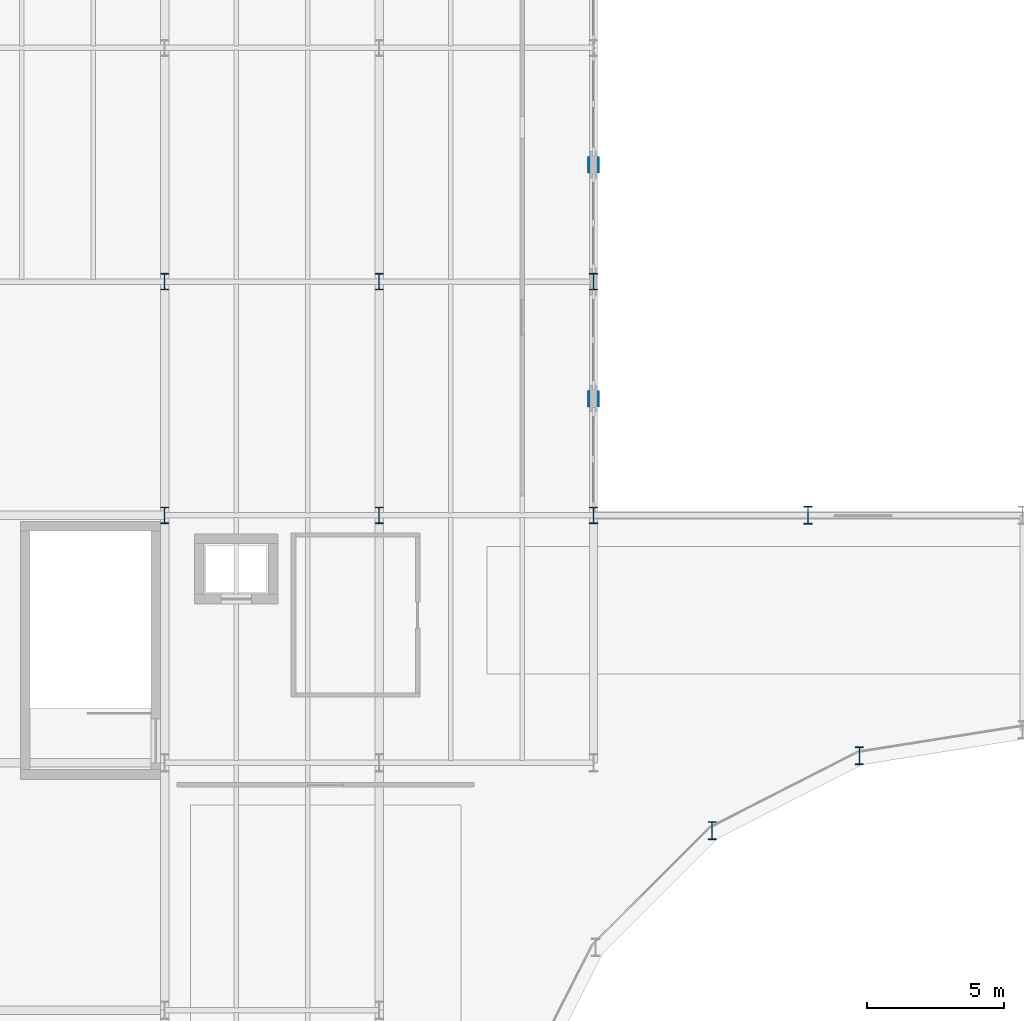
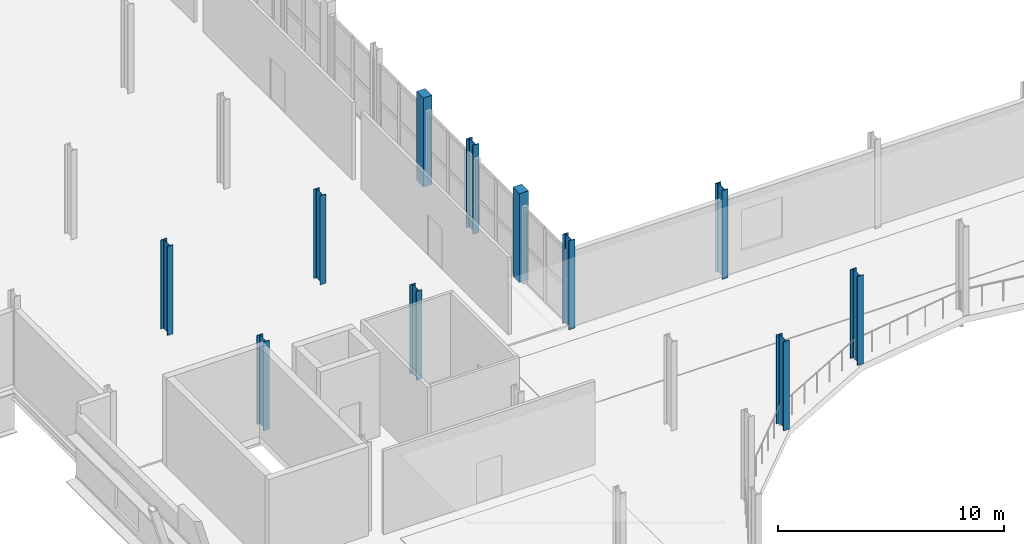
# One storey, part 3 of 63: 11 columns.
"""IFC4 building model written with IfcOpenShell, lengths in metres."""

from ifc_helpers import new_model, si_unit, direction, frame, origin, origin_2d, place, context, subcontext, project, spatial, rectangle, i_section, extrude, material, material_profile, profile_set, type_object, element, save


model = new_model("IFC4")

# Units and contexts
model_context = context("Model", 3, precision=1e-05, world=origin(), true_north=direction((0.0, 1.0)))
body_context = subcontext(model_context, "Body", "Model", "MODEL_VIEW")
ifc_project = project(units=[si_unit("LENGTHUNIT", "METRE"), si_unit("AREAUNIT", "SQUARE_METRE"), si_unit("VOLUMEUNIT", "CUBIC_METRE"), si_unit("PLANEANGLEUNIT", "RADIAN"), si_unit("MASSUNIT", "GRAM", prefix="KILO")], contexts=[model_context])

# Site, building, storey
site_placement = place(None, origin())
site = spatial("IfcSite", under=ifc_project, at=site_placement, CompositionType="ELEMENT")
building_placement = place(site_placement, origin())
building = spatial("IfcBuilding", under=site, at=building_placement, Name="Sefraquen Railside Congress Hotel", CompositionType="ELEMENT")
storey_placement = place(building_placement, frame((0.0, 0.0, 11.39990234375)))
storey = spatial("IfcBuildingStorey", under=building, at=storey_placement, Name="L02", CompositionType="ELEMENT", Elevation=11.39990234375)

# Columns
ifc_material_1 = material(Name="Steel S355JR", Category="steel")
ifc_material_profile_1 = material_profile(ifc_material_1, i_section(OverallWidth=0.300048828125, OverallDepth=0.60009765625, WebThickness=0.015380859375, FlangeThickness=0.030029296875, FilletRadius=0.027099609375, at=origin_2d()), Name="HEB 600")
ifc_profile_set_1 = profile_set([ifc_material_profile_1], Name="Steel S355JR")
column_type_1 = type_object("IfcColumnType", Name="TC-HEB-600", PredefinedType="COLUMN", material=ifc_profile_set_1)
for number, where, z_axis, x_axis, name in (
    (1, (33.0, 54.0, 0.0), (0.0, 0.0, 1.0), (1.0, 0.0, 0.0), "Structural column 5-G L02"),
    (2, (33.0, 62.5, 0.0), (0.0, 0.0, 1.0), (1.0, 0.0, 0.0), "Structural column 5-H L02"),
    (3, (40.800048828125, 54.0, 0.0), (0.0, 0.0, 1.0), (1.0, 0.0, 0.0), "Structural column 6-G L02"),
    (4, (40.800048828125, 62.5, 0.0), (0.0, 0.0, 1.0), (1.0, 0.0, 0.0), "Structural column 6-H L02"),
    (5, (48.60009765625, 54.0, 0.0), (0.0, 0.0, 1.0), (1.0, 0.0, 0.0), "Structural column 7-G L02"),
    (6, (48.60009765625, 62.5, 0.0), (0.0, 0.0, 1.0), (1.0, 0.0, 0.0), "Structural column 7-H L02"),
):
    element("IfcColumn", number, at=place(storey_placement, frame(where, z_axis=z_axis, x_axis=x_axis)), inside=storey, type_object=column_type_1, Name=name, PredefinedType="COLUMN", context=body_context, shape_type="SweptSolid", body=[
        extrude(i_section(OverallWidth=0.300048828125, OverallDepth=0.60009765625, WebThickness=0.015380859375, FlangeThickness=0.030029296875, FilletRadius=0.027099609375, at=origin_2d()), origin(), (0.0, 0.0, 1.0), 4.800048828125),
    ])
ifc_material_profile_2 = material_profile(ifc_material_1, i_section(OverallWidth=0.300048828125, OverallDepth=0.64990234375, WebThickness=0.01611328125, FlangeThickness=0.031005859375, FilletRadius=0.027099609375, at=origin_2d()), Name="HEB 650")
ifc_profile_set_2 = profile_set([ifc_material_profile_2], Name="Steel S355JR")
column_type_2 = type_object("IfcColumnType", Name="TC-HEB-650", PredefinedType="COLUMN", material=ifc_profile_set_2)
for number, where, z_axis, x_axis, name in (
    (7, (56.39990234375, 54.0, 0.0), (0.0, 0.0, 1.0), (1.0, 0.0, 0.0), "Structural column 8-G L02"),
    (8, (58.266845703125, 45.26025390625, 0.0), (0.0, 0.0, 1.0), (1.0, 0.0, 0.0), "Structural column DRM-07 L02"),
    (9, (52.91455078125, 42.533203125, 0.0), (0.0, 0.0, 1.0), (1.0, 0.0, 0.0), "Structural column DRM-08 L02"),
):
    element("IfcColumn", number, at=place(storey_placement, frame(where, z_axis=z_axis, x_axis=x_axis)), inside=storey, type_object=column_type_2, Name=name, PredefinedType="COLUMN", context=body_context, shape_type="SweptSolid", body=[
        extrude(i_section(OverallWidth=0.300048828125, OverallDepth=0.64990234375, WebThickness=0.01611328125, FlangeThickness=0.031005859375, FilletRadius=0.027099609375, at=origin_2d()), origin(), (0.0, 0.0, 1.0), 4.800048828125),
    ])
ifc_material_2 = material(Name="Concrete C50/60", Category="concrete")
ifc_material_profile_3 = material_profile(ifc_material_2, rectangle(XDim=0.449951171875, YDim=0.60009765625, at=origin_2d()), Name="RC 600x450")
ifc_profile_set_3 = profile_set([ifc_material_profile_3], Name="Concrete C50/60")
column_type_3 = type_object("IfcColumnType", Name="TC-PIL-600", PredefinedType="PILASTER", material=ifc_profile_set_3)
for number, where, z_axis, x_axis, name in (
    (10, (48.60009765625, 58.25, 0.0), (0.0, 0.0, 1.0), (1.0, 0.0, 0.0), "Courtyard limestone pilaster CPIL-W1 L02"),
    (11, (48.60009765625, 66.75, 0.0), (0.0, 0.0, 1.0), (1.0, 0.0, 0.0), "Courtyard limestone pilaster CPIL-W2 L02"),
):
    element("IfcColumn", number, at=place(storey_placement, frame(where, z_axis=z_axis, x_axis=x_axis)), inside=storey, type_object=column_type_3, Name=name, PredefinedType="PILASTER", context=body_context, shape_type="SweptSolid", body=[
        extrude(rectangle(XDim=0.449951171875, YDim=0.60009765625, at=origin_2d()), origin(), (0.0, 0.0, 1.0), 4.800048828125),
    ])

save(model, "model.ifc")
